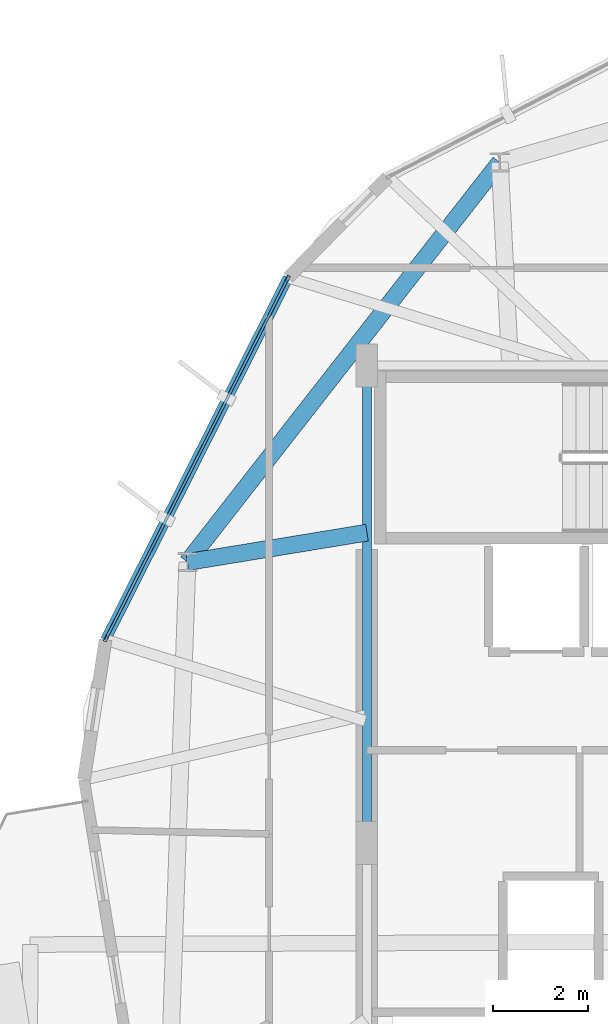
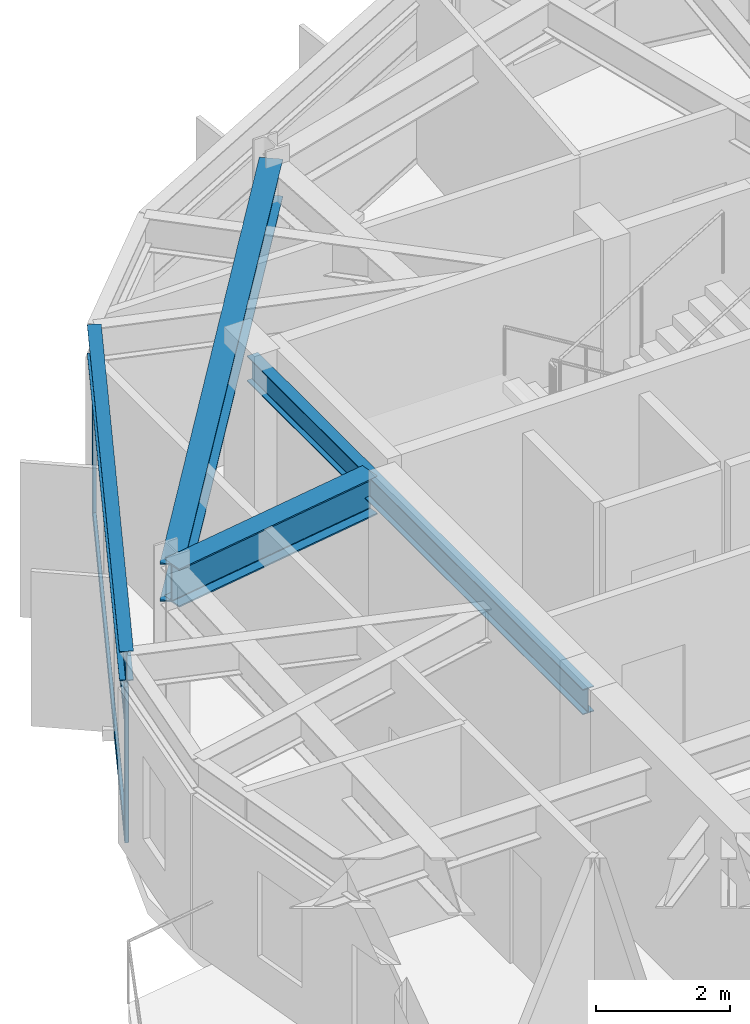
# One storey, part 7 of 22: 5 members, 4 beams, 1 element without a shape of its own.
"""IFC4 building model written with IfcOpenShell, lengths in metres."""

from ifc_helpers import new_model, si_unit, direction, frame, origin, origin_2d, place, context, subcontext, project, spatial, hollow_rectangle, i_section, extrude, material, layer, layer_set, material_profile, profile_set, type_object, element, aggregate, save


model = new_model("IFC4")

# Units and contexts
model_context = context("Model", 3, precision=1e-05, world=origin(), true_north=direction((0.0, 1.0)))
body_context = subcontext(model_context, "Body", "Model", "MODEL_VIEW")
ifc_project = project(units=[si_unit("LENGTHUNIT", "METRE"), si_unit("AREAUNIT", "SQUARE_METRE"), si_unit("VOLUMEUNIT", "CUBIC_METRE"), si_unit("PLANEANGLEUNIT", "RADIAN"), si_unit("MASSUNIT", "GRAM", prefix="KILO")], contexts=[model_context])

# Site, building, storey
site_placement = place(None, origin())
site = spatial("IfcSite", under=ifc_project, at=site_placement, CompositionType="ELEMENT")
building_placement = place(site_placement, origin())
building = spatial("IfcBuilding", under=site, at=building_placement, Name="Soratama Intermodal Tower", CompositionType="ELEMENT")
storey_placement = place(building_placement, frame((0.0, 0.0, 265.0)))
storey = spatial("IfcBuildingStorey", under=building, at=storey_placement, Name="L67", CompositionType="ELEMENT", Elevation=265.0)

# Beams
ifc_material_1 = material(Name="Structural steel ASTM A992 Grade 50", Category="steel")
ifc_material_profile_1 = material_profile(ifc_material_1, i_section(OverallWidth=0.19091796875, OverallDepth=0.4599609375, WebThickness=0.010009765625, FlangeThickness=0.01611328125, FilletRadius=0.010986328125, at=origin_2d()), Name="W18X55")
ifc_profile_set_1 = profile_set([ifc_material_profile_1], Name="Structural steel ASTM A992 Grade 50")
beam_type_1 = type_object("IfcBeamType", Name="BM-FLR-W18X55", PredefinedType="BEAM", material=ifc_profile_set_1)
beam_1_placement = place(storey_placement, frame((32.60009765625, 35.0, 3.219970703125), z_axis=(0.0, -1.0, 0.0), x_axis=(1.0, 0.0, 0.0)))
element("IfcBeam", 1, at=beam_1_placement, inside=storey, type_object=beam_type_1, Name="BM-L67-CRING-08", PredefinedType="BEAM", context=body_context, shape_type="SweptSolid", body=[
    extrude(i_section(OverallWidth=0.19091796875, OverallDepth=0.4599609375, WebThickness=0.010009765625, FlangeThickness=0.01611328125, FilletRadius=0.010986328125, at=origin_2d()), origin(), (0.0, 0.0, 1.0), 10.0),
])
ifc_material_2 = material(Name="Structural steel ASTM A992 Grade 50", Category="steel")
ifc_material_profile_2 = material_profile(ifc_material_2, i_section(OverallWidth=0.35498046875, OverallDepth=0.695068359375, WebThickness=0.015380859375, FlangeThickness=0.02490234375, FilletRadius=0.01611328125, at=origin_2d()), Name="W27X146")
ifc_profile_set_2 = profile_set([ifc_material_profile_2], Name="Structural steel ASTM A992 Grade 50")
beam_type_2 = type_object("IfcBeamType", Name="BM-RING-W27X146", PredefinedType="BEAM", material=ifc_profile_set_2)
beam_2_placement = place(storey_placement, frame((35.382080078125, 39.259033203125, 3.1025390625), z_axis=(-0.6157278291, -0.787958907858, 0.0), x_axis=(0.787958907858, -0.6157278291, 0.0)))
element("IfcBeam", 2, at=beam_2_placement, inside=storey, type_object=beam_type_2, Name="BM-L67-RING-04", PredefinedType="BEAM", context=body_context, shape_type="SweptSolid", body=[
    extrude(i_section(OverallWidth=0.35498046875, OverallDepth=0.695068359375, WebThickness=0.015380859375, FlangeThickness=0.02490234375, FilletRadius=0.01611328125, at=origin_2d()), origin(), (0.0, 0.0, 1.0), 10.6298828125),
])
beam_3_placement = place(storey_placement, frame((32.60009765625, 31.5, 3.1025390625), z_axis=(-0.986826492219, -0.161782181513, 0.0), x_axis=(0.161782181513, -0.986826492219, 0.0)))
element("IfcBeam", 3, at=beam_3_placement, inside=storey, type_object=beam_type_2, Name="BM-L67-RAD-05", PredefinedType="BEAM", context=body_context, shape_type="SweptSolid", body=[
    extrude(i_section(OverallWidth=0.35498046875, OverallDepth=0.695068359375, WebThickness=0.015380859375, FlangeThickness=0.02490234375, FilletRadius=0.01611328125, at=origin_2d()), origin(), (0.0, 0.0, 1.0), 3.8134765625),
])
ifc_material_3 = material(Name="Structural steel ASTM A992 Grade 50", Category="steel")
ifc_material_profile_3 = material_profile(ifc_material_3, i_section(OverallWidth=0.2099609375, OverallDepth=0.537109375, WebThickness=0.010986328125, FlangeThickness=0.017333984375, FilletRadius=0.012939453125, at=origin_2d()), Name="W21X68")
ifc_profile_set_3 = profile_set([ifc_material_profile_3], Name="Structural steel ASTM A992 Grade 50")
beam_type_3 = type_object("IfcBeamType", Name="BM-SPN-W21X68", PredefinedType="SPANDREL", material=ifc_profile_set_3)
beam_4_placement = place(storey_placement, frame((30.948974609375, 36.844970703125, 3.181396484375), z_axis=(-0.450267344667, -0.892893788939, 0.0), x_axis=(0.892893788939, -0.450267344667, 0.0)))
element("IfcBeam", 4, at=beam_4_placement, inside=storey, type_object=beam_type_3, Name="BS-L67-F03", PredefinedType="SPANDREL", context=body_context, shape_type="SweptSolid", body=[
    extrude(i_section(OverallWidth=0.2099609375, OverallDepth=0.537109375, WebThickness=0.010986328125, FlangeThickness=0.017333984375, FilletRadius=0.012939453125, at=origin_2d()), origin(), (0.0, 0.0, 1.0), 8.499267578125),
])

# Curtain wall, members
ifc_material_4 = material(Name="Double-glazed aluminium curtain wall", Category="aluminium")
ifc_layer = layer(ifc_material_4, 0.159912109375)
ifc_layer_set = layer_set([ifc_layer], Name="Double-glazed aluminium curtain wall")
curtain_wall_type = type_object("IfcCurtainWallType", Name="CW-SYS-5", PredefinedType="NOTDEFINED", material=ifc_layer_set)
curtain_wall_placement = place(storey_placement, origin())
curtain_wall = element("IfcCurtainWall", 5, at=curtain_wall_placement, inside=storey, type_object=curtain_wall_type, Name="L67 Faceted Curtain Wall F03", PredefinedType="NOTDEFINED")
ifc_material_5 = material(Name="Anodised aluminium AA 6063-T6", Category="aluminium")
ifc_material_profile_4 = material_profile(ifc_material_5, hollow_rectangle(XDim=0.06494140625, YDim=0.139892578125, WallThickness=0.0048828125, InnerFilletRadius=0.0048828125, OuterFilletRadius=0.010009765625, at=origin_2d()), Name="CWM140X65X5")
ifc_profile_set_4 = profile_set([ifc_material_profile_4], Name="Anodised aluminium AA 6063-T6")
member_type_1 = type_object("IfcMemberType", Name="MT-CWM-5", PredefinedType="MULLION", material=ifc_profile_set_4)
member_1_placement = place(storey_placement, frame((30.93505859375, 36.818359375, 0.0), z_axis=(0.0, 0.0, 1.0), x_axis=(0.892899626176, -0.450255769064, 0.0)))
member_1 = element("IfcMember", 6, at=member_1_placement, type_object=member_type_1, Name="CW-5 mullion 1", PredefinedType="MULLION", context=body_context, shape_type="SweptSolid", body=[
    extrude(hollow_rectangle(XDim=0.06494140625, YDim=0.139892578125, WallThickness=0.0048828125, InnerFilletRadius=0.0048828125, OuterFilletRadius=0.010009765625, at=origin_2d()), origin(), (0.0, 0.0, 1.0), 2.8291015625),
])
member_2_placement = place(storey_placement, frame((27.135009765625, 29.282470703125, 0.0), z_axis=(0.0, 0.0, 1.0), x_axis=(0.892899626176, -0.450255769064, 0.0)))
member_2 = element("IfcMember", 7, at=member_2_placement, type_object=member_type_1, Name="CW-5 mullion 2", PredefinedType="MULLION", context=body_context, shape_type="SweptSolid", body=[
    extrude(hollow_rectangle(XDim=0.06494140625, YDim=0.139892578125, WallThickness=0.0048828125, InnerFilletRadius=0.0048828125, OuterFilletRadius=0.010009765625, at=origin_2d()), origin(), (0.0, 0.0, 1.0), 2.8291015625),
])
ifc_material_6 = material(Name="Anodised aluminium AA 6063-T6", Category="aluminium")
ifc_material_profile_5 = material_profile(ifc_material_6, hollow_rectangle(XDim=0.06005859375, YDim=0.1298828125, WallThickness=0.0048828125, InnerFilletRadius=0.0048828125, OuterFilletRadius=0.010009765625, at=origin_2d()), Name="CWT130X60X5")
ifc_profile_set_5 = profile_set([ifc_material_profile_5], Name="Anodised aluminium AA 6063-T6")
member_type_2 = type_object("IfcMemberType", Name="TT-CWT-2", PredefinedType="USERDEFINED", material=ifc_profile_set_5)
member_3_placement = place(storey_placement, frame((30.921630859375, 36.791748046875, 0.030029296875), z_axis=(-0.450264221194, -0.892895364034, 0.0), x_axis=(0.892895364034, -0.450264221194, 0.0)))
member_3 = element("IfcMember", 8, at=member_3_placement, type_object=member_type_2, Name="CW-5 transom 1.1", ObjectType="TRANSOM", PredefinedType="USERDEFINED", context=body_context, shape_type="SweptSolid", body=[
    extrude(hollow_rectangle(XDim=0.06005859375, YDim=0.1298828125, WallThickness=0.0048828125, InnerFilletRadius=0.0048828125, OuterFilletRadius=0.010009765625, at=origin_2d()), origin(), (0.0, 0.0, 1.0), 8.3798828125),
])
member_4_placement = place(storey_placement, frame((30.921630859375, 36.791748046875, 2.14990234375), z_axis=(-0.450264221194, -0.892895364034, 0.0), x_axis=(0.892895364034, -0.450264221194, 0.0)))
member_4 = element("IfcMember", 9, at=member_4_placement, type_object=member_type_2, Name="CW-5 transom 1.2", ObjectType="TRANSOM", PredefinedType="USERDEFINED", context=body_context, shape_type="SweptSolid", body=[
    extrude(hollow_rectangle(XDim=0.06005859375, YDim=0.1298828125, WallThickness=0.0048828125, InnerFilletRadius=0.0048828125, OuterFilletRadius=0.010009765625, at=origin_2d()), origin(), (0.0, 0.0, 1.0), 8.3798828125),
])
member_5_placement = place(storey_placement, frame((30.921630859375, 36.791748046875, 2.799072265625), z_axis=(-0.450264221194, -0.892895364034, 0.0), x_axis=(0.892895364034, -0.450264221194, 0.0)))
member_5 = element("IfcMember", 10, at=member_5_placement, type_object=member_type_2, Name="CW-5 transom 1.3", ObjectType="TRANSOM", PredefinedType="USERDEFINED", context=body_context, shape_type="SweptSolid", body=[
    extrude(hollow_rectangle(XDim=0.06005859375, YDim=0.1298828125, WallThickness=0.0048828125, InnerFilletRadius=0.0048828125, OuterFilletRadius=0.010009765625, at=origin_2d()), origin(), (0.0, 0.0, 1.0), 8.3798828125),
])
aggregate(curtain_wall, [member_1, member_2, member_3, member_4, member_5])

save(model, "model.ifc")
